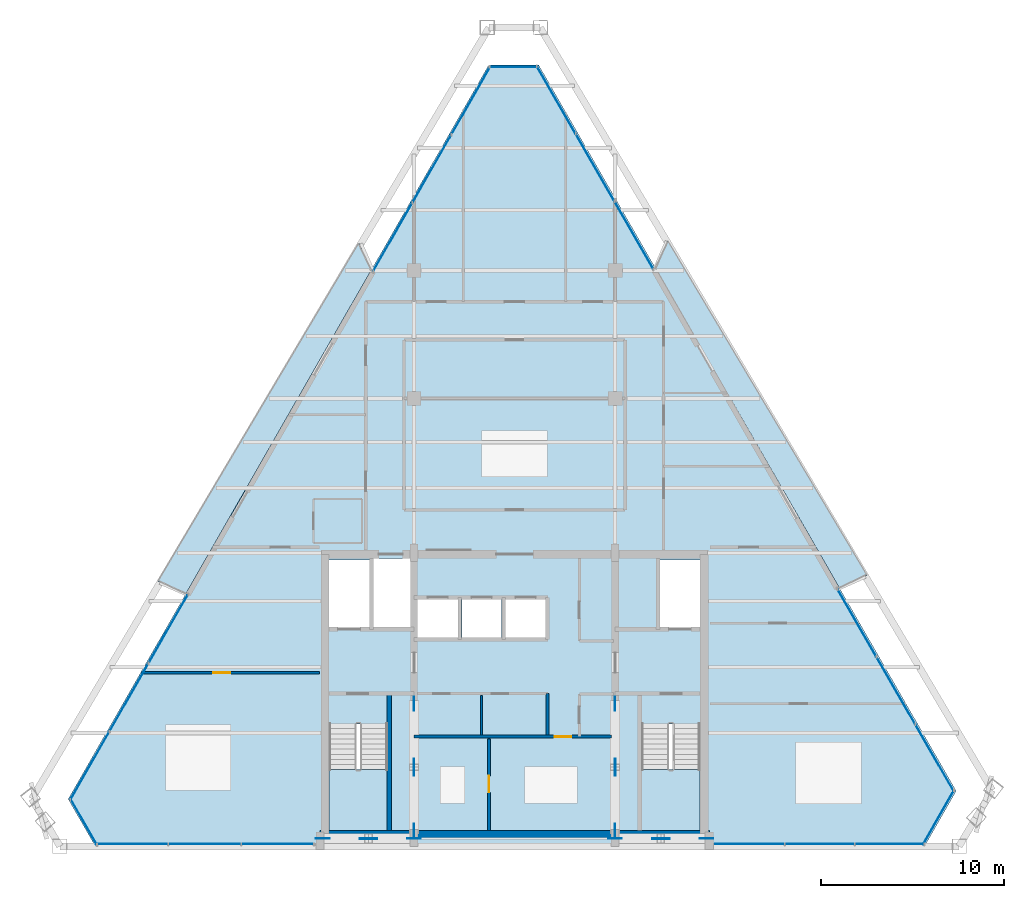
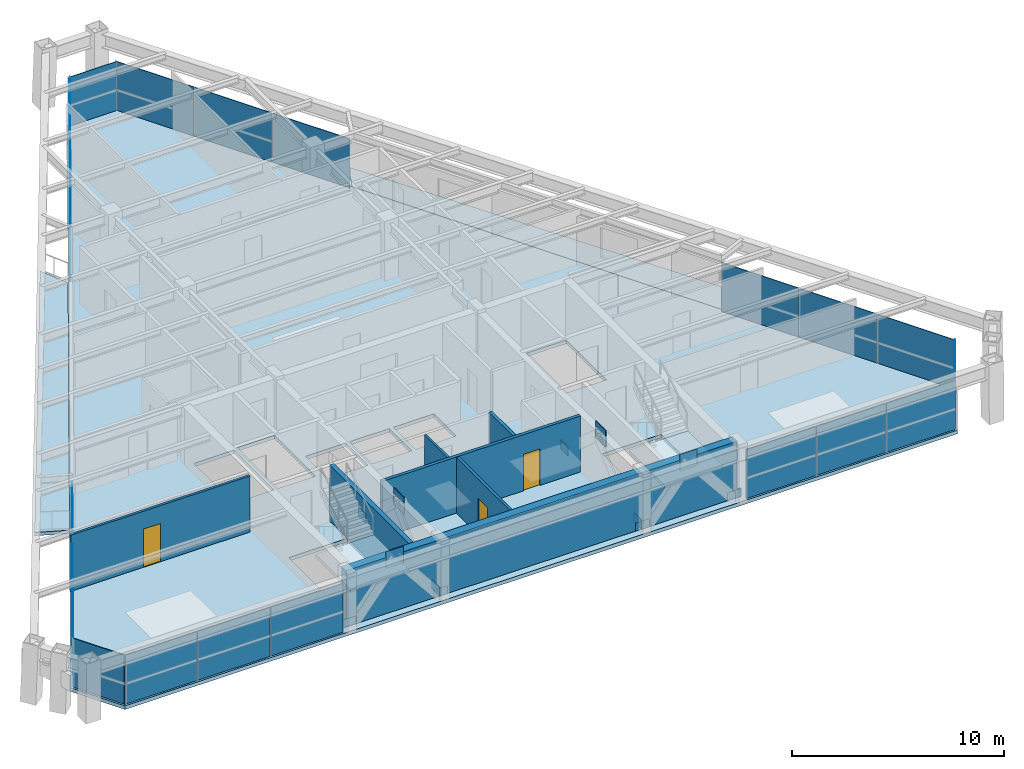
# One storey, part 8 of 13: 33 plates, 7 walls, 5 slabs, 3 doors, 3 openings, 11 elements without a shape of their own.
"""IFC4 building model written with IfcOpenShell, lengths in metres."""

from ifc_helpers import new_model, si_unit, direction, frame, frame_2d, origin, origin_2d, place, context, subcontext, project, spatial, polyline, rectangle, outline, extrude, source, transform, mapped, material, layer, layer_set, type_object, type_shapes, element, fill, aggregate, save


model = new_model("IFC4")

# Units and contexts
model_context = context("Model", 3, precision=1e-05, world=origin(), true_north=direction((0.0, 1.0)))
body_context = subcontext(model_context, "Body", "Model", "MODEL_VIEW")
ifc_project = project(units=[si_unit("LENGTHUNIT", "METRE"), si_unit("AREAUNIT", "SQUARE_METRE"), si_unit("VOLUMEUNIT", "CUBIC_METRE"), si_unit("PLANEANGLEUNIT", "RADIAN"), si_unit("MASSUNIT", "GRAM", prefix="KILO")], contexts=[model_context])

# Site, building, storey
site_placement = place(None, origin())
site = spatial("IfcSite", under=ifc_project, at=site_placement, CompositionType="ELEMENT")
building_placement = place(site_placement, origin())
building = spatial("IfcBuilding", under=site, at=building_placement, Name="Varnakhor Terracotta Tower", CompositionType="ELEMENT")
storey_placement = place(building_placement, frame((0.0, 0.0, 297.14990234375)))
storey = spatial("IfcBuildingStorey", under=building, at=storey_placement, Name="L78", CompositionType="ELEMENT", Elevation=297.14990234375)

# Slab
ifc_material_1 = material(Name="Concrete C40/50", Category="concrete")
ifc_layer_1 = layer(ifc_material_1, 0.2099609375, Name="Concrete C40/50")
ifc_layer_set_1 = layer_set([ifc_layer_1], Name="Concrete C40/50")
slab_type_1 = type_object("IfcSlabType", Name="SLB-HTL-210", PredefinedType="FLOOR", material=ifc_layer_set_1)
slab_1_placement = place(storey_placement, frame((0.0, 0.0, -0.2099609375)))
element("IfcSlab", 1, at=slab_1_placement, inside=storey, type_object=slab_type_1, Name="L78 Structural Floor Slab", PredefinedType="FLOOR", context=body_context, shape_type="SweptSolid", body=[
    extrude(outline(polyline([(-24.42333984375, 2.580322265625), (-1.406005859375, 42.755615234375), (1.308349609375, 42.755615234375), (24.16162109375, 3.025146484375), (22.428466796875, 0.0), (-22.939208984375, 0.0), (-24.42333984375, 2.580322265625)]), holes=[polyline([(-6.949951171875, 0.85009765625), (-6.949951171875, 6.695068359375), (-10.14990234375, 6.695068359375), (-10.14990234375, 0.85009765625), (-6.949951171875, 0.85009765625)]), polyline([(10.14990234375, 0.85009765625), (10.14990234375, 6.695068359375), (6.949951171875, 6.695068359375), (6.949951171875, 0.85009765625), (10.14990234375, 0.85009765625)]), polyline([(-3.10009765625, 11.419921875), (-3.10009765625, 13.52001953125), (-5.300048828125, 13.52001953125), (-5.300048828125, 11.419921875), (-3.10009765625, 11.419921875)]), polyline([(-0.719970703125, 11.419921875), (-0.719970703125, 13.52001953125), (-2.8798828125, 13.52001953125), (-2.8798828125, 11.419921875), (-0.719970703125, 11.419921875)]), polyline([(1.699951171875, 11.419921875), (1.699951171875, 13.52001953125), (-0.5, 13.52001953125), (-0.5, 11.419921875), (1.699951171875, 11.419921875)]), polyline([(-7.949951171875, 11.8798828125), (-7.949951171875, 15.64990234375), (-10.14990234375, 15.64990234375), (-10.14990234375, 11.8798828125), (-7.949951171875, 11.8798828125)]), polyline([(10.14990234375, 11.8798828125), (10.14990234375, 15.64990234375), (7.949951171875, 15.64990234375), (7.949951171875, 11.8798828125), (10.14990234375, 11.8798828125)]), polyline([(-5.699951171875, 11.8798828125), (-5.699951171875, 15.75), (-7.72998046875, 15.75), (-7.72998046875, 11.8798828125), (-5.699951171875, 11.8798828125)])]), origin(), (0.0, 0.0, 1.0), 0.2099609375),
])

# Stair, slab
stair_type = type_object("IfcStairType", Name="STR-CORE-HOTEL-1500", PredefinedType="HALF_TURN_STAIR", material=ifc_material_1)
stair_1_placement = place(storey_placement, origin())
stair_1 = element("IfcStair", 2, at=stair_1_placement, inside=storey, type_object=stair_type, Name="L78 Core Exit Stair ST-1", PredefinedType="HALF_TURN_STAIR")
ifc_layer_2 = layer(ifc_material_1, 0.179931640625, Name="Concrete C40/50")
ifc_layer_set_2 = layer_set([ifc_layer_2], Name="Concrete C40/50")
slab_type_2 = type_object("IfcSlabType", Name="SLB-LANDING-180", PredefinedType="LANDING", material=ifc_layer_set_2)
slab_2_placement = place(storey_placement, frame((0.0, 0.0, 1.525146484375)))
slab_2 = element("IfcSlab", 3, at=slab_2_placement, type_object=slab_type_2, Name="ST-1 landing 1", PredefinedType="LANDING", context=body_context, shape_type="SweptSolid", body=[
    extrude(outline(polyline([(-10.14990234375, 4.18994140625), (-10.14990234375, 0.85009765625), (-6.949951171875, 0.85009765625), (-6.949951171875, 4.18994140625), (-10.14990234375, 4.18994140625)])), origin(), (0.0, 0.0, 1.0), 0.199951171875),
])
aggregate(stair_1, [slab_2])

stair_2_placement = place(storey_placement, origin())
stair_2 = element("IfcStair", 4, at=stair_2_placement, inside=storey, type_object=stair_type, Name="L78 Core Exit Stair ST-2", PredefinedType="HALF_TURN_STAIR")
slab_3_placement = place(storey_placement, frame((0.0, 0.0, 1.525146484375)))
slab_3 = element("IfcSlab", 5, at=slab_3_placement, type_object=slab_type_2, Name="ST-2 landing 1", PredefinedType="LANDING", context=body_context, shape_type="SweptSolid", body=[
    extrude(outline(polyline([(6.949951171875, 4.18994140625), (6.949951171875, 0.85009765625), (10.14990234375, 0.85009765625), (10.14990234375, 4.18994140625), (6.949951171875, 4.18994140625)])), origin(), (0.0, 0.0, 1.0), 0.199951171875),
])
aggregate(stair_2, [slab_3])

# Slabs
ifc_layer_3 = layer(ifc_material_1, 0.195068359375, Name="Concrete C40/50")
ifc_layer_set_3 = layer_set([ifc_layer_3], Name="Concrete C40/50")
slab_type_3 = type_object("IfcSlabType", Name="SLB-LOGGIA-EXT-195", PredefinedType="FLOOR", material=ifc_layer_set_3)
slab_4_placement = place(storey_placement, frame((0.0, 0.0, -0.19482421875)))
element("IfcSlab", 6, at=slab_4_placement, inside=storey, type_object=slab_type_3, Name="L78 E Recessed Outdoor Loggia Slab", PredefinedType="FLOOR", context=body_context, shape_type="SweptSolid", body=[
    extrude(outline(polyline([(8.364990234375, 33.138427734375), (19.27294921875, 14.823974609375), (17.7626953125, 14.149658203125), (7.707275390625, 31.631103515625), (8.364990234375, 33.138427734375)])), origin(), (0.0, 0.0, 1.0), 0.19482421875),
])
slab_5_placement = place(storey_placement, frame((0.0, 0.0, -0.19482421875)))
element("IfcSlab", 7, at=slab_5_placement, inside=storey, type_object=slab_type_3, Name="L78 W Recessed Outdoor Loggia Slab", PredefinedType="FLOOR", context=body_context, shape_type="SweptSolid", body=[
    extrude(outline(polyline([(-19.50439453125, 14.48828125), (-8.5146484375, 33.008056640625), (-7.850830078125, 31.506591796875), (-17.978515625, 13.829345703125), (-19.50439453125, 14.48828125)])), origin(), (0.0, 0.0, 1.0), 0.19482421875),
])

# Plates
ifc_material_2 = material(Name="Steel S460", Category="steel")
ifc_layer_4 = layer(ifc_material_2, 0.050048828125, Name="Steel S460")
ifc_layer_set_4 = layer_set([ifc_layer_4], Name="Steel S460")
plate_type_1 = type_object("IfcPlateType", Name="PLT-GUSSET-50", PredefinedType="USERDEFINED", material=ifc_layer_set_4)
shared_shape_1 = source(origin(), body_context, "Body", "SweptSolid", [
    extrude(rectangle(XDim=0.75, YDim=0.0400390625, at=origin_2d()), origin(), (0.0, 0.0, 1.0), 0.550048828125),
])
type_shapes(plate_type_1, [shared_shape_1])
for number, where, z_axis, x_axis, name in (
    (8, (-10.5, 0.419921875, -0.0947265625), (0.0, 0.0, 1.0), (1.0, 0.0, 0.0), "L78 Core Brace Embed Plate CSWA"),
    (9, (-5.5, 0.419921875, -0.0947265625), (0.0, 0.0, 1.0), (1.0, 0.0, 0.0), "L78 Core Brace Embed Plate CSWB"),
    (10, (5.5, 0.419921875, -0.0947265625), (0.0, 0.0, 1.0), (1.0, 0.0, 0.0), "L78 Core Brace Embed Plate CSEA"),
    (11, (10.5, 0.419921875, -0.0947265625), (0.0, 0.0, 1.0), (1.0, 0.0, 0.0), "L78 Core Brace Embed Plate CSEB"),
    (12, (-5.5, 0.85009765625, -0.0947265625), (0.0, 0.0, 1.0), (0.0, 1.0, 0.0), "L78 Core Brace Embed Plate CWWA"),
    (13, (-5.5, 7.800048828125, -0.0947265625), (0.0, 0.0, 1.0), (0.0, 1.0, 0.0), "L78 Core Brace Embed Plate CWWB"),
    (14, (5.5, 0.85009765625, -0.0947265625), (0.0, 0.0, 1.0), (0.0, 1.0, 0.0), "L78 Core Brace Embed Plate CWEA"),
    (15, (5.5, 7.800048828125, -0.0947265625), (0.0, 0.0, 1.0), (0.0, 1.0, 0.0), "L78 Core Brace Embed Plate CWEB"),
):
    element("IfcPlate", number, at=place(storey_placement, frame(where, z_axis=z_axis, x_axis=x_axis)), inside=storey, type_object=plate_type_1, Name=name, ObjectType="GUSSET PLATE", PredefinedType="USERDEFINED", context=body_context, shape_type="MappedRepresentation", body=[
        mapped(shared_shape_1, transform((0.0, 0.0, 0.0), scale=1.0)),
    ])
shared_shape_2 = source(origin(), body_context, "Body", "SweptSolid", [
    extrude(rectangle(XDim=0.949951171875, YDim=0.044921875, at=origin_2d()), origin(), (0.0, 0.0, 1.0), 0.949951171875),
])
for number, where, z_axis, x_axis, name in (
    (16, (-8.0, 0.419921875, 2.615234375), (0.0, 0.0, 1.0), (1.0, 0.0, 0.0), "L78 Core Brace Apex Gusset CSW"),
    (17, (8.0, 0.419921875, 2.615234375), (0.0, 0.0, 1.0), (1.0, 0.0, 0.0), "L78 Core Brace Apex Gusset CSE"),
    (18, (-5.5, 4.324951171875, 2.615234375), (0.0, 0.0, 1.0), (0.0, 1.0, 0.0), "L78 Core Brace Apex Gusset CWW"),
    (19, (5.5, 4.324951171875, 2.615234375), (0.0, 0.0, 1.0), (0.0, 1.0, 0.0), "L78 Core Brace Apex Gusset CWE"),
):
    element("IfcPlate", number, at=place(storey_placement, frame(where, z_axis=z_axis, x_axis=x_axis)), inside=storey, type_object=plate_type_1, Name=name, ObjectType="GUSSET PLATE", PredefinedType="USERDEFINED", context=body_context, shape_type="MappedRepresentation", body=[
        mapped(shared_shape_2, transform((0.0, 0.0, 0.0), scale=1.0)),
    ])

# Curtain wall, plates
ifc_material_3 = material(Name="Anodised Aluminium Curtain Wall System", Category="aluminium")
curtain_wall_type = type_object("IfcCurtainWallType", Name="CW-SYS-HOTEL-LOGGIA", PredefinedType="NOTDEFINED", material=ifc_material_3)
curtain_wall_1_placement = place(storey_placement, origin())
curtain_wall_1 = element("IfcCurtainWall", 20, at=curtain_wall_1_placement, inside=storey, type_object=curtain_wall_type, Name="L78 W Facet Curtain Wall 1", PredefinedType="NOTDEFINED")
ifc_material_4 = material(Name="Solar-Control Low-E Insulated Glass Panel", Category="glass")
ifc_layer_5 = layer(ifc_material_4, 0.033935546875, Name="Solar-Control Low-E Insulated Glass Panel")
ifc_layer_set_5 = layer_set([ifc_layer_5], Name="Solar-Control Low-E Insulated Glass Panel")
plate_type_2 = type_object("IfcPlateType", Name="CWP-04", PredefinedType="CURTAIN_PANEL", material=ifc_layer_set_5)
shared_shape_3 = source(origin(), body_context, "Body", "SweptSolid", [
    extrude(rectangle(XDim=4.261474609375, YDim=0.035888671875, at=origin_2d()), origin(), (0.0, 0.0, 1.0), 2.820068359375),
])
plate_1_placement = place(storey_placement, frame((-23.235107421875, 4.412841796875, 0.0), z_axis=(0.0, 0.0, 1.0), x_axis=(0.497110263174, 0.867687378176, 0.0)))
plate_1 = element("IfcPlate", 21, at=plate_1_placement, type_object=plate_type_2, Name="L78 W Facet Curtain Wall 1 Glazed Panel 1", PredefinedType="CURTAIN_PANEL", context=body_context, shape_type="MappedRepresentation", body=[
    mapped(shared_shape_3, transform((0.0, 0.0, 0.0), scale=1.0)),
])
plate_2_placement = place(storey_placement, frame((-21.0966796875, 8.145263671875, 0.0), z_axis=(0.0, 0.0, 1.0), x_axis=(0.497110263174, 0.867687378176, 0.0)))
plate_2 = element("IfcPlate", 22, at=plate_2_placement, type_object=plate_type_2, Name="L78 W Facet Curtain Wall 1 Glazed Panel 2", PredefinedType="CURTAIN_PANEL", context=body_context, shape_type="MappedRepresentation", body=[
    mapped(shared_shape_3, transform((0.0, 0.0, 0.0), scale=1.0)),
])
plate_3_placement = place(storey_placement, frame((-18.95849609375, 11.87744140625, 0.0), z_axis=(0.0, 0.0, 1.0), x_axis=(0.497110263174, 0.867687378176, 0.0)))
plate_3 = element("IfcPlate", 23, at=plate_3_placement, type_object=plate_type_2, Name="L78 W Facet Curtain Wall 1 Glazed Panel 3", PredefinedType="CURTAIN_PANEL", context=body_context, shape_type="MappedRepresentation", body=[
    mapped(shared_shape_3, transform((0.0, 0.0, 0.0), scale=1.0)),
])
aggregate(curtain_wall_1, [plate_1, plate_2, plate_3])

curtain_wall_2_placement = place(storey_placement, origin())
curtain_wall_2 = element("IfcCurtainWall", 24, at=curtain_wall_2_placement, inside=storey, type_object=curtain_wall_type, Name="L78 W Facet Curtain Wall 2", PredefinedType="NOTDEFINED")
plate_4_placement = place(storey_placement, frame((-6.662841796875, 33.339111328125, 0.0), z_axis=(0.0, 0.0, 1.0), x_axis=(0.497110263174, 0.867687378176, 0.0)))
plate_4 = element("IfcPlate", 25, at=plate_4_placement, type_object=plate_type_2, Name="L78 W Facet Curtain Wall 2 Glazed Panel 1", PredefinedType="CURTAIN_PANEL", context=body_context, shape_type="MappedRepresentation", body=[
    mapped(shared_shape_3, transform((0.0, 0.0, 0.0), scale=1.0)),
])
plate_5_placement = place(storey_placement, frame((-2.385986328125, 40.8037109375, 0.0), z_axis=(0.0, 0.0, 1.0), x_axis=(0.497110263174, 0.867687378176, 0.0)))
plate_5 = element("IfcPlate", 26, at=plate_5_placement, type_object=plate_type_2, Name="L78 W Facet Curtain Wall 2 Glazed Panel 3", PredefinedType="CURTAIN_PANEL", context=body_context, shape_type="MappedRepresentation", body=[
    mapped(shared_shape_3, transform((0.0, 0.0, 0.0), scale=1.0)),
])
shared_shape_4 = source(origin(), body_context, "Body", "SweptSolid", [
    extrude(rectangle(XDim=4.26171875, YDim=0.035888671875, at=origin_2d()), origin(), (0.0, 0.0, 1.0), 2.820068359375),
])
plate_6_placement = place(storey_placement, frame((-4.5244140625, 37.071533203125, 0.0), z_axis=(0.0, 0.0, 1.0), x_axis=(0.497110263174, 0.867687378176, 0.0)))
plate_6 = element("IfcPlate", 27, at=plate_6_placement, type_object=plate_type_2, Name="L78 W Facet Curtain Wall 2 Glazed Panel 2", PredefinedType="CURTAIN_PANEL", context=body_context, shape_type="MappedRepresentation", body=[
    mapped(shared_shape_4, transform((0.0, 0.0, 0.0), scale=1.0)),
])
aggregate(curtain_wall_2, [plate_4, plate_6, plate_5])

# Curtain wall, plate
curtain_wall_3_placement = place(storey_placement, origin())
curtain_wall_3 = element("IfcCurtainWall", 28, at=curtain_wall_3_placement, inside=storey, type_object=curtain_wall_type, Name="L78 Facet Curtain Wall 2", PredefinedType="NOTDEFINED")
shared_shape_5 = source(origin(), body_context, "Body", "SweptSolid", [
    extrude(rectangle(XDim=2.614501953125, YDim=0.035888671875, at=origin_2d()), origin(), (0.0, 0.0, 1.0), 2.820068359375),
])
plate_7_placement = place(storey_placement, frame((-0.048828125, 42.6357421875, 0.0), z_axis=(0.0, 0.0, 1.0), x_axis=(1.0, 0.0, 0.0)))
plate_7 = element("IfcPlate", 29, at=plate_7_placement, type_object=plate_type_2, Name="L78 Facet Curtain Wall 2 Glazed Panel 1", PredefinedType="CURTAIN_PANEL", context=body_context, shape_type="MappedRepresentation", body=[
    mapped(shared_shape_5, transform((0.0, 0.0, 0.0), scale=1.0)),
])
aggregate(curtain_wall_3, [plate_7])

# Curtain wall, plates
curtain_wall_4_placement = place(storey_placement, origin())
curtain_wall_4 = element("IfcCurtainWall", 30, at=curtain_wall_4_placement, inside=storey, type_object=curtain_wall_type, Name="L78 E Facet Curtain Wall 1", PredefinedType="NOTDEFINED")
shared_shape_6 = source(origin(), body_context, "Body", "SweptSolid", [
    extrude(rectangle(XDim=4.218017578125, YDim=0.035888671875, at=origin_2d()), origin(), (0.0, 0.0, 1.0), 2.820068359375),
])
plate_8_placement = place(storey_placement, frame((2.28076171875, 40.824462890625, 0.0), z_axis=(0.0, 0.0, 1.0), x_axis=(0.498608776515, -0.866827138467, 0.0)))
plate_8 = element("IfcPlate", 31, at=plate_8_placement, type_object=plate_type_2, Name="L78 E Facet Curtain Wall 1 Glazed Panel 1", PredefinedType="CURTAIN_PANEL", context=body_context, shape_type="MappedRepresentation", body=[
    mapped(shared_shape_6, transform((0.0, 0.0, 0.0), scale=1.0)),
])
plate_9_placement = place(storey_placement, frame((6.52685546875, 33.44287109375, 0.0), z_axis=(0.0, 0.0, 1.0), x_axis=(0.498608776515, -0.866827138467, 0.0)))
plate_9 = element("IfcPlate", 32, at=plate_9_placement, type_object=plate_type_2, Name="L78 E Facet Curtain Wall 1 Glazed Panel 3", PredefinedType="CURTAIN_PANEL", context=body_context, shape_type="MappedRepresentation", body=[
    mapped(shared_shape_6, transform((0.0, 0.0, 0.0), scale=1.0)),
])

# Curtain wall, plate
curtain_wall_5_placement = place(storey_placement, origin())
curtain_wall_5 = element("IfcCurtainWall", 33, at=curtain_wall_5_placement, inside=storey, type_object=curtain_wall_type, Name="L78 E Facet Curtain Wall 2", PredefinedType="NOTDEFINED")
plate_10_placement = place(storey_placement, frame((20.858154296875, 8.527587890625, 0.0), z_axis=(0.0, 0.0, 1.0), x_axis=(0.498608776515, -0.866827138467, 0.0)))
plate_10 = element("IfcPlate", 34, at=plate_10_placement, type_object=plate_type_2, Name="L78 E Facet Curtain Wall 2 Glazed Panel 2", PredefinedType="CURTAIN_PANEL", context=body_context, shape_type="MappedRepresentation", body=[
    mapped(shared_shape_6, transform((0.0, 0.0, 0.0), scale=1.0)),
])

# Plate
shared_shape_7 = source(origin(), body_context, "Body", "SweptSolid", [
    extrude(rectangle(XDim=4.2177734375, YDim=0.035888671875, at=origin_2d()), origin(), (0.0, 0.0, 1.0), 2.820068359375),
])
plate_11_placement = place(storey_placement, frame((4.40380859375, 37.133544921875, 0.0), z_axis=(0.0, 0.0, 1.0), x_axis=(0.498608776515, -0.866827138467, 0.0)))
plate_11 = element("IfcPlate", 35, at=plate_11_placement, type_object=plate_type_2, Name="L78 E Facet Curtain Wall 1 Glazed Panel 2", PredefinedType="CURTAIN_PANEL", context=body_context, shape_type="MappedRepresentation", body=[
    mapped(shared_shape_7, transform((0.0, 0.0, 0.0), scale=1.0)),
])

aggregate(curtain_wall_4, [plate_8, plate_11, plate_9])

plate_12_placement = place(storey_placement, frame((18.735107421875, 12.218505859375, 0.0), z_axis=(0.0, 0.0, 1.0), x_axis=(0.498608776515, -0.866827138467, 0.0)))
plate_12 = element("IfcPlate", 36, at=plate_12_placement, type_object=plate_type_2, Name="L78 E Facet Curtain Wall 2 Glazed Panel 1", PredefinedType="CURTAIN_PANEL", context=body_context, shape_type="MappedRepresentation", body=[
    mapped(shared_shape_7, transform((0.0, 0.0, 0.0), scale=1.0)),
])

plate_13_placement = place(storey_placement, frame((22.981201171875, 4.8369140625, 0.0), z_axis=(0.0, 0.0, 1.0), x_axis=(0.498608776515, -0.866827138467, 0.0)))
plate_13 = element("IfcPlate", 37, at=plate_13_placement, type_object=plate_type_2, Name="L78 E Facet Curtain Wall 2 Glazed Panel 3", PredefinedType="CURTAIN_PANEL", context=body_context, shape_type="MappedRepresentation", body=[
    mapped(shared_shape_7, transform((0.0, 0.0, 0.0), scale=1.0)),
])

aggregate(curtain_wall_5, [plate_12, plate_10, plate_13])

# Curtain wall, plate
curtain_wall_6_placement = place(storey_placement, origin())
curtain_wall_6 = element("IfcCurtainWall", 38, at=curtain_wall_6_placement, inside=storey, type_object=curtain_wall_type, Name="L78 Facet Curtain Wall 4", PredefinedType="NOTDEFINED")
shared_shape_8 = source(origin(), body_context, "Body", "SweptSolid", [
    extrude(rectangle(XDim=3.386474609375, YDim=0.035888671875, at=origin_2d()), origin(), (0.0, 0.0, 1.0), 2.820068359375),
])
plate_14_placement = place(storey_placement, frame((23.19091796875, 1.572265625, 0.0), z_axis=(0.0, 0.0, 1.0), x_axis=(-0.497110263174, -0.867687378176, 0.0)))
plate_14 = element("IfcPlate", 39, at=plate_14_placement, type_object=plate_type_2, Name="L78 Facet Curtain Wall 4 Glazed Panel 1", PredefinedType="CURTAIN_PANEL", context=body_context, shape_type="MappedRepresentation", body=[
    mapped(shared_shape_8, transform((0.0, 0.0, 0.0), scale=1.0)),
])
aggregate(curtain_wall_6, [plate_14])

# Curtain wall, plates
curtain_wall_7_placement = place(storey_placement, origin())
curtain_wall_7 = element("IfcCurtainWall", 40, at=curtain_wall_7_placement, inside=storey, type_object=curtain_wall_type, Name="L78 South Wing Curtain Wall SSE", PredefinedType="NOTDEFINED")
shared_shape_9 = source(origin(), body_context, "Body", "SweptSolid", [
    extrude(rectangle(XDim=3.776123046875, YDim=0.035888671875, at=origin_2d()), origin(), (0.0, 0.0, 1.0), 2.820068359375),
])
plate_15_placement = place(storey_placement, frame((20.510498046875, 0.1201171875, 0.0), z_axis=(0.0, 0.0, 1.0), x_axis=(-1.0, 0.0, 0.0)))
plate_15 = element("IfcPlate", 41, at=plate_15_placement, type_object=plate_type_2, Name="L78 South Wing Curtain Wall SSE Glazed Panel 1", PredefinedType="CURTAIN_PANEL", context=body_context, shape_type="MappedRepresentation", body=[
    mapped(shared_shape_9, transform((0.0, 0.0, 0.0), scale=1.0)),
])
plate_16_placement = place(storey_placement, frame((16.6943359375, 0.1201171875, 0.0), z_axis=(0.0, 0.0, 1.0), x_axis=(-1.0, 0.0, 0.0)))
plate_16 = element("IfcPlate", 42, at=plate_16_placement, type_object=plate_type_2, Name="L78 South Wing Curtain Wall SSE Glazed Panel 2", PredefinedType="CURTAIN_PANEL", context=body_context, shape_type="MappedRepresentation", body=[
    mapped(shared_shape_9, transform((0.0, 0.0, 0.0), scale=1.0)),
])
plate_17_placement = place(storey_placement, frame((12.878173828125, 0.1201171875, 0.0), z_axis=(0.0, 0.0, 1.0), x_axis=(-1.0, 0.0, 0.0)))
plate_17 = element("IfcPlate", 43, at=plate_17_placement, type_object=plate_type_2, Name="L78 South Wing Curtain Wall SSE Glazed Panel 3", PredefinedType="CURTAIN_PANEL", context=body_context, shape_type="MappedRepresentation", body=[
    mapped(shared_shape_9, transform((0.0, 0.0, 0.0), scale=1.0)),
])
aggregate(curtain_wall_7, [plate_15, plate_16, plate_17])

curtain_wall_8_placement = place(storey_placement, origin())
curtain_wall_8 = element("IfcCurtainWall", 44, at=curtain_wall_8_placement, inside=storey, type_object=curtain_wall_type, Name="L78 South Wing Curtain Wall SSW", PredefinedType="NOTDEFINED")
shared_shape_10 = source(origin(), body_context, "Body", "SweptSolid", [
    extrude(rectangle(XDim=3.9462890625, YDim=0.035888671875, at=origin_2d()), origin(), (0.0, 0.0, 1.0), 2.820068359375),
])
plate_18_placement = place(storey_placement, frame((-12.963134765625, 0.1201171875, 0.0), z_axis=(0.0, 0.0, 1.0), x_axis=(-1.0, 0.0, 0.0)))
plate_18 = element("IfcPlate", 45, at=plate_18_placement, type_object=plate_type_2, Name="L78 South Wing Curtain Wall SSW Glazed Panel 1", PredefinedType="CURTAIN_PANEL", context=body_context, shape_type="MappedRepresentation", body=[
    mapped(shared_shape_10, transform((0.0, 0.0, 0.0), scale=1.0)),
])
plate_19_placement = place(storey_placement, frame((-16.94970703125, 0.1201171875, 0.0), z_axis=(0.0, 0.0, 1.0), x_axis=(-1.0, 0.0, 0.0)))
plate_19 = element("IfcPlate", 46, at=plate_19_placement, type_object=plate_type_2, Name="L78 South Wing Curtain Wall SSW Glazed Panel 2", PredefinedType="CURTAIN_PANEL", context=body_context, shape_type="MappedRepresentation", body=[
    mapped(shared_shape_10, transform((0.0, 0.0, 0.0), scale=1.0)),
])
plate_20_placement = place(storey_placement, frame((-20.93603515625, 0.1201171875, 0.0), z_axis=(0.0, 0.0, 1.0), x_axis=(-1.0, 0.0, 0.0)))
plate_20 = element("IfcPlate", 47, at=plate_20_placement, type_object=plate_type_2, Name="L78 South Wing Curtain Wall SSW Glazed Panel 3", PredefinedType="CURTAIN_PANEL", context=body_context, shape_type="MappedRepresentation", body=[
    mapped(shared_shape_10, transform((0.0, 0.0, 0.0), scale=1.0)),
])
aggregate(curtain_wall_8, [plate_18, plate_19, plate_20])

# Curtain wall, plate
curtain_wall_9_placement = place(storey_placement, origin())
curtain_wall_9 = element("IfcCurtainWall", 48, at=curtain_wall_9_placement, inside=storey, type_object=curtain_wall_type, Name="L78 Facet Curtain Wall 6", PredefinedType="NOTDEFINED")
shared_shape_11 = source(origin(), body_context, "Body", "SweptSolid", [
    extrude(rectangle(XDim=2.876708984375, YDim=0.035888671875, at=origin_2d()), origin(), (0.0, 0.0, 1.0), 2.820068359375),
])
plate_21_placement = place(storey_placement, frame((-23.5771484375, 1.349853515625, 0.0), z_axis=(0.0, 0.0, 1.0), x_axis=(-0.498608776515, 0.866827138467, 0.0)))
plate_21 = element("IfcPlate", 49, at=plate_21_placement, type_object=plate_type_2, Name="L78 Facet Curtain Wall 6 Glazed Panel 1", PredefinedType="CURTAIN_PANEL", context=body_context, shape_type="MappedRepresentation", body=[
    mapped(shared_shape_11, transform((0.0, 0.0, 0.0), scale=1.0)),
])
aggregate(curtain_wall_9, [plate_21])

# Wall
ifc_material_5 = material(Name="Concrete C50/60", Category="concrete")
ifc_layer_6 = layer(ifc_material_5, 0.449951171875, Name="Concrete C50/60")
ifc_layer_set_6 = layer_set([ifc_layer_6], Name="Concrete C50/60")
wall_type_1 = type_object("IfcWallType", Name="WAL-CORE-450", PredefinedType="SHEAR", material=ifc_layer_set_6)
wall_1_placement = place(storey_placement, frame((-10.64990234375, 0.625, 0.0), z_axis=(0.0, 0.0, 1.0), x_axis=(1.0, 0.0, 0.0)))
element("IfcWall", 50, at=wall_1_placement, inside=storey, type_object=wall_type_1, Name="L78 South Core Shear Wall", PredefinedType="SHEAR", context=body_context, shape_type="SweptSolid", body=[
    extrude(rectangle(XDim=21.2998046875, YDim=0.449951171875, at=frame_2d((10.64990234375, 0.0))), origin(), (0.0, 0.0, 1.0), 3.239990234375),
])

# Wall, opening, door
ifc_material_6 = material(Name="Acoustic Hotel Room Partition", Category="gypsum")
ifc_layer_7 = layer(ifc_material_6, 0.1298828125, Name="Acoustic Hotel Room Partition")
ifc_layer_set_7 = layer_set([ifc_layer_7], Name="Acoustic Hotel Room Partition")
wall_type_2 = type_object("IfcWallType", Name="WAL-PART-130", PredefinedType="PARTITIONING", material=ifc_layer_set_7)
wall_2_placement = place(storey_placement, frame((-20.447509765625, 9.5, 0.0), z_axis=(0.0, 0.0, 1.0), x_axis=(1.0, 0.0, 0.0)))
wall_2 = element("IfcWall", 51, at=wall_2_placement, inside=storey, type_object=wall_type_2, Name="L78 SW Key Split 1", PredefinedType="PARTITIONING", context=body_context, shape_type="SweptSolid", body=[
    extrude(rectangle(XDim=9.767578125, YDim=0.1298828125, at=frame_2d((4.8837890625, 0.0))), origin(), (0.0, 0.0, 1.0), 3.232177734375),
])
opening_1_placement = place(wall_2_placement, frame((3.954345703125, 0.0, 0.0)))
opening_1 = element("IfcOpeningElement", 52, at=opening_1_placement, cuts=wall_2, Name="Opening DR-94", PredefinedType="OPENING", context=body_context, shape_type="SweptSolid", body=[
    extrude(rectangle(XDim=0.949951171875, YDim=2.199951171875, at=frame_2d((0.47509765625, 1.10009765625))), frame((0.0, 0.074951171875, 0.0), z_axis=(0.0, -1.0, 0.0), x_axis=(1.0, 0.0, 0.0)), (0.0, 0.0, 1.0), 0.14990234375),
])
ifc_material_7 = material(Name="Acoustic Glazed-Vision Timber Office Door", Category="wood")
door_type_1 = type_object("IfcDoorType", Name="DR-OFF-950X2200", OperationType="NOTDEFINED", PredefinedType="DOOR", material=ifc_material_7)
shared_shape_12 = source(origin(), body_context, "Body", "SweptSolid", [
    extrude(rectangle(XDim=0.949951171875, YDim=2.199951171875, at=frame_2d((0.47509765625, 1.10009765625))), frame((0.0, 0.02490234375, 0.0), z_axis=(0.0, -1.0, 0.0), x_axis=(1.0, 0.0, 0.0)), (0.0, 0.0, 1.0), 0.050048828125),
])
type_shapes(door_type_1, [shared_shape_12])
door_1_placement = place(opening_1_placement, origin())
door_1 = element("IfcDoor", 53, at=door_1_placement, inside=storey, type_object=door_type_1, Name="L78 SW Suite Connect Door 1", OperationType="SINGLE_SWING_LEFT", OverallHeight=2.199951171875, OverallWidth=0.949951171875, PredefinedType="DOOR", context=body_context, shape_type="MappedRepresentation", body=[
    mapped(shared_shape_12, transform((0.0, 0.0, 0.0), scale=1.0)),
])
fill(opening_1, door_1)

# Walls
ifc_layer_8 = layer(ifc_material_1, 0.25, Name="Concrete C40/50")
ifc_layer_set_8 = layer_set([ifc_layer_8], Name="Concrete C40/50")
wall_type_3 = type_object("IfcWallType", Name="WAL-SHAFT-250", PredefinedType="SOLIDWALL", material=ifc_layer_set_8)
wall_3_placement = place(storey_placement, frame((-6.85009765625, 0.85009765625, 0.0), z_axis=(0.0, 0.0, 1.0), x_axis=(0.0, 1.0, 0.0)))
element("IfcWall", 54, at=wall_3_placement, inside=storey, type_object=wall_type_3, Name="L78 Stair ST-1 Bearing Shaft Wall", PredefinedType="SOLIDWALL", context=body_context, shape_type="SweptSolid", body=[
    extrude(rectangle(XDim=7.5, YDim=0.25, at=frame_2d((3.75, 0.0))), origin(), (0.0, 0.0, 1.0), 3.239990234375),
])
ifc_material_8 = material(Name="Acoustic Fire-Rated Partition", Category="gypsum")
ifc_layer_9 = layer(ifc_material_8, 0.114990234375, Name="Acoustic Fire-Rated Partition")
ifc_layer_set_9 = layer_set([ifc_layer_9], Name="Acoustic Fire-Rated Partition")
wall_type_4 = type_object("IfcWallType", Name="WAL-TENANCY-115", PredefinedType="PARTITIONING", material=ifc_layer_set_9)
wall_4_placement = place(storey_placement, frame((-1.800048828125, 6.10009765625, 0.0), z_axis=(0.0, 0.0, 1.0), x_axis=(0.0, 1.0, 0.0)))
element("IfcWall", 55, at=wall_4_placement, inside=storey, type_object=wall_type_4, Name="L78 Reclaimed Mid-Core Split Wall", PredefinedType="PARTITIONING", context=body_context, shape_type="SweptSolid", body=[
    extrude(rectangle(XDim=2.14990234375, YDim=0.114990234375, at=frame_2d((1.074951171875, 0.0))), origin(), (0.0, 0.0, 1.0), 3.232177734375),
])

# Wall, opening, door
ifc_layer_10 = layer(ifc_material_8, 0.139892578125, Name="Acoustic Fire-Rated Partition")
ifc_layer_set_10 = layer_set([ifc_layer_10], Name="Acoustic Fire-Rated Partition")
wall_type_5 = type_object("IfcWallType", Name="WAL-TENANCY-140", PredefinedType="PARTITIONING", material=ifc_layer_set_10)
wall_5_placement = place(storey_placement, frame((-1.39990234375, 0.85009765625, 0.0), z_axis=(0.0, 0.0, 1.0), x_axis=(0.0, 1.0, 0.0)))
wall_5 = element("IfcWall", 56, at=wall_5_placement, inside=storey, type_object=wall_type_5, Name="L78 Reclaimed Core Bay Split Wall", PredefinedType="PARTITIONING", context=body_context, shape_type="SweptSolid", body=[
    extrude(rectangle(XDim=5.02978515625, YDim=0.139892578125, at=frame_2d((2.514892578125, 0.0))), origin(), (0.0, 0.0, 1.0), 3.232177734375),
])
opening_2_placement = place(wall_5_placement, frame((2.10009765625, 0.0, 0.0)))
opening_2 = element("IfcOpeningElement", 57, at=opening_2_placement, cuts=wall_5, Name="Opening DR-67", PredefinedType="OPENING", context=body_context, shape_type="SweptSolid", body=[
    extrude(rectangle(XDim=0.89990234375, YDim=2.10009765625, at=frame_2d((0.449951171875, 1.050048828125))), frame((0.0, 0.080078125, 0.0), z_axis=(0.0, -1.0, 0.0), x_axis=(1.0, 0.0, 0.0)), (0.0, 0.0, 1.0), 0.159912109375),
])
ifc_material_9 = material(Name="Steel Service Riser Fire Door", Category="steel")
door_type_2 = type_object("IfcDoorType", Name="DR-RISER-900X2100", OperationType="NOTDEFINED", PredefinedType="DOOR", material=ifc_material_9)
shared_shape_13 = source(origin(), body_context, "Body", "SweptSolid", [
    extrude(rectangle(XDim=0.89990234375, YDim=2.10009765625, at=frame_2d((0.449951171875, 1.050048828125))), frame((0.0, 0.02490234375, 0.0), z_axis=(0.0, -1.0, 0.0), x_axis=(1.0, 0.0, 0.0)), (0.0, 0.0, 1.0), 0.050048828125),
])
type_shapes(door_type_2, [shared_shape_13])
door_2_placement = place(opening_2_placement, origin())
door_2 = element("IfcDoor", 58, at=door_2_placement, inside=storey, type_object=door_type_2, Name="L78 Core Inner Service Door", OperationType="SINGLE_SWING_RIGHT", OverallHeight=2.10009765625, OverallWidth=0.89990234375, PredefinedType="DOOR", context=body_context, shape_type="MappedRepresentation", body=[
    mapped(shared_shape_13, transform((0.0, 0.0, 0.0), scale=1.0)),
])
fill(opening_2, door_2)

ifc_layer_11 = layer(ifc_material_8, 0.1650390625, Name="Acoustic Fire-Rated Partition")
ifc_layer_set_11 = layer_set([ifc_layer_11], Name="Acoustic Fire-Rated Partition")
wall_type_6 = type_object("IfcWallType", Name="WAL-TENANCY-165", PredefinedType="PARTITIONING", material=ifc_layer_set_11)
wall_6_placement = place(storey_placement, frame((-5.5, 6.0, 0.0), z_axis=(0.0, 0.0, 1.0), x_axis=(1.0, 0.0, 0.0)))
wall_6 = element("IfcWall", 59, at=wall_6_placement, inside=storey, type_object=wall_type_6, Name="L78 Reclaimed Core Bay North Rated Wall", PredefinedType="PARTITIONING", context=body_context, shape_type="SweptSolid", body=[
    extrude(rectangle(XDim=10.800048828125, YDim=0.1650390625, at=frame_2d((5.39990234375, 0.0))), origin(), (0.0, 0.0, 1.0), 3.232177734375),
])
opening_3_placement = place(wall_6_placement, frame((7.699951171875, 0.0, 0.0)))
opening_3 = element("IfcOpeningElement", 60, at=opening_3_placement, cuts=wall_6, Name="Opening DR-67", PredefinedType="OPENING", context=body_context, shape_type="SweptSolid", body=[
    extrude(rectangle(XDim=0.89990234375, YDim=2.10009765625, at=frame_2d((0.449951171875, 1.050048828125))), frame((0.0, 0.092529296875, 0.0), z_axis=(0.0, -1.0, 0.0), x_axis=(1.0, 0.0, 0.0)), (0.0, 0.0, 1.0), 0.18505859375),
])
door_3_placement = place(opening_3_placement, origin())
door_3 = element("IfcDoor", 61, at=door_3_placement, inside=storey, type_object=door_type_2, Name="L78 Core Reclaimed Suite Door", OperationType="SINGLE_SWING_LEFT", OverallHeight=2.10009765625, OverallWidth=0.89990234375, PredefinedType="DOOR", context=body_context, shape_type="MappedRepresentation", body=[
    mapped(shared_shape_13, transform((0.0, 0.0, 0.0), scale=1.0)),
])
fill(opening_3, door_3)

# Wall
wall_7_placement = place(storey_placement, frame((1.800048828125, 6.10009765625, 0.0), z_axis=(0.0, 0.0, 1.0), x_axis=(0.0, 1.0, 0.0)))
element("IfcWall", 62, at=wall_7_placement, inside=storey, type_object=wall_type_6, Name="L78 Reclaimed Mid-Core East Wall", PredefinedType="PARTITIONING", context=body_context, shape_type="SweptSolid", body=[
    extrude(rectangle(XDim=2.25, YDim=0.1650390625, at=frame_2d((1.125, 0.0))), origin(), (0.0, 0.0, 1.0), 3.232177734375),
])

save(model, "model.ifc")
